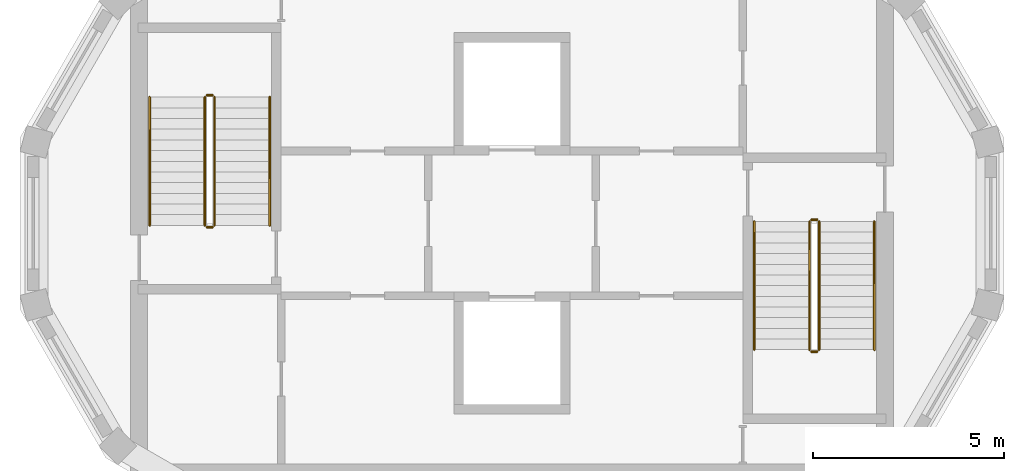
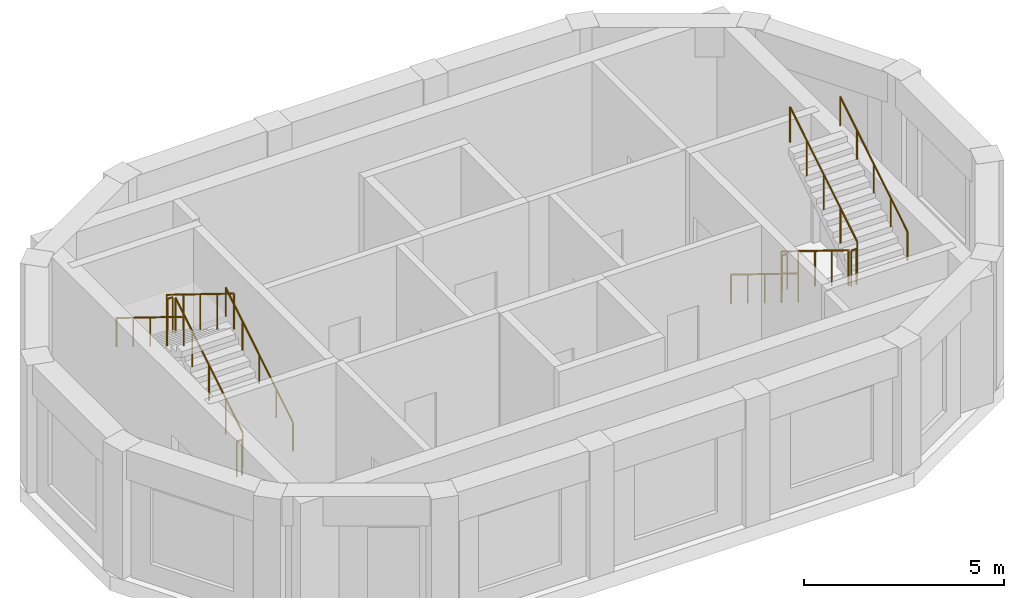
# One storey, part 4 of 4: 12 railings.
"""IFC4 building model written with IfcOpenShell, lengths in metres."""

from ifc_helpers import new_model, si_unit, direction, frame, origin, origin_2d, place, context, subcontext, project, spatial, circle, extrude, material, type_object, element, save


model = new_model("IFC4")

# Units and contexts
model_context = context("Model", 3, precision=1e-05, world=origin(), true_north=direction((0.0, 1.0)))
body_context = subcontext(model_context, "Body", "Model", "MODEL_VIEW")
ifc_project = project(units=[si_unit("LENGTHUNIT", "METRE"), si_unit("AREAUNIT", "SQUARE_METRE"), si_unit("VOLUMEUNIT", "CUBIC_METRE"), si_unit("PLANEANGLEUNIT", "RADIAN"), si_unit("MASSUNIT", "GRAM", prefix="KILO")], contexts=[model_context])

# Site, building, storey
site_placement = place(None, origin())
site = spatial("IfcSite", under=ifc_project, at=site_placement, CompositionType="ELEMENT")
building_placement = place(site_placement, origin())
building = spatial("IfcBuilding", under=site, at=building_placement, Name="Dhurran Vertical Campus", CompositionType="ELEMENT")
storey_placement = place(building_placement, frame((0.0, 0.0, 336.89990234375)))
storey = spatial("IfcBuildingStorey", under=building, at=storey_placement, Name="L82 Plant", CompositionType="ELEMENT", Elevation=336.89990234375)

# Railings
ifc_material_1 = material(Name="Stainless steel balustrade", Category="steel")
railing_type_1 = type_object("IfcRailingType", Name="co-RL-GUARD-1100", PredefinedType="GUARDRAIL", material=ifc_material_1)
railing_1_placement = place(storey_placement, frame((-7.800048828125, -0.050048828125, 0.173095703125)))
element("IfcRailing", 1, at=railing_1_placement, inside=storey, type_object=railing_type_1, Name="L82 Plant ST5 stair guard 1", PredefinedType="GUARDRAIL", context=body_context, shape_type="SweptSolid", body=[
    extrude(circle(Radius=0.02392578125, at=origin_2d()), frame((0.0, 0.0, 1.076171875), z_axis=(0.0, 0.850623216509, 0.525775754039), x_axis=(-1.0, 0.0, 0.0)), (0.0, 0.0, 1.0), 3.9501953125),
    extrude(circle(Radius=0.02099609375, at=origin_2d()), origin(), (0.0, 0.0, 1.0), 1.052001953125),
    extrude(circle(Radius=0.02099609375, at=origin_2d()), frame((0.0, 0.840087890625, 0.519287109375)), (0.0, 0.0, 1.0), 1.052001953125),
    extrude(circle(Radius=0.02099609375, at=origin_2d()), frame((0.0, 1.68017578125, 1.03857421875)), (0.0, 0.0, 1.0), 1.052001953125),
    extrude(circle(Radius=0.02099609375, at=origin_2d()), frame((0.0, 2.52001953125, 1.5576171875)), (0.0, 0.0, 1.0), 1.052001953125),
    extrude(circle(Radius=0.02099609375, at=origin_2d()), frame((0.0, 3.360107421875, 2.076904296875)), (0.0, 0.0, 1.0), 1.052001953125),
])
railing_2_placement = place(storey_placement, frame((-7.85009765625, 3.360107421875, 2.25)))
element("IfcRailing", 2, at=railing_2_placement, inside=storey, type_object=railing_type_1, Name="L82 Plant ST5 stair guard 2", PredefinedType="GUARDRAIL", context=body_context, shape_type="SweptSolid", body=[
    extrude(circle(Radius=0.02392578125, at=origin_2d()), frame((0.0, 0.0, 1.076171875), z_axis=(-1.0, 0.0, 0.0), x_axis=(0.0, -1.0, 0.0)), (0.0, 0.0, 1.0), 0.14990234375),
    extrude(circle(Radius=0.02099609375, at=origin_2d()), origin(), (0.0, 0.0, 1.0), 1.052001953125),
    extrude(circle(Radius=0.02099609375, at=origin_2d()), frame((-0.14990234375, 0.0, 0.0)), (0.0, 0.0, 1.0), 1.052001953125),
])
railing_3_placement = place(storey_placement, frame((-8.050048828125, 3.31005859375, 2.423095703125)))
element("IfcRailing", 3, at=railing_3_placement, inside=storey, type_object=railing_type_1, Name="L82 Plant ST5 stair guard 3", PredefinedType="GUARDRAIL", context=body_context, shape_type="SweptSolid", body=[
    extrude(circle(Radius=0.02392578125, at=origin_2d()), frame((0.0, 0.0, 1.076171875), z_axis=(0.0, -0.850623216509, 0.525775754039), x_axis=(1.0, 0.0, 0.0)), (0.0, 0.0, 1.0), 3.9501953125),
    extrude(circle(Radius=0.02099609375, at=origin_2d()), origin(), (0.0, 0.0, 1.0), 1.052001953125),
    extrude(circle(Radius=0.02099609375, at=origin_2d()), frame((0.0, -0.840087890625, 0.519287109375)), (0.0, 0.0, 1.0), 1.052001953125),
    extrude(circle(Radius=0.02099609375, at=origin_2d()), frame((0.0, -1.68017578125, 1.03857421875)), (0.0, 0.0, 1.0), 1.052001953125),
    extrude(circle(Radius=0.02099609375, at=origin_2d()), frame((0.0, -2.52001953125, 1.5576171875)), (0.0, 0.0, 1.0), 1.052001953125),
    extrude(circle(Radius=0.02099609375, at=origin_2d()), frame((0.0, -3.360107421875, 2.076904296875)), (0.0, 0.0, 1.0), 1.052001953125),
])
railing_4_placement = place(storey_placement, frame((-7.85009765625, -0.10009765625, 0.0)))
element("IfcRailing", 4, at=railing_4_placement, inside=storey, type_object=railing_type_1, Name="L82 Plant ST5 stair guard 4", PredefinedType="GUARDRAIL", context=body_context, shape_type="SweptSolid", body=[
    extrude(circle(Radius=0.02392578125, at=origin_2d()), frame((0.0, 0.0, 1.076171875), z_axis=(-1.0, 0.0, 0.0), x_axis=(0.0, -1.0, 0.0)), (0.0, 0.0, 1.0), 0.14990234375),
    extrude(circle(Radius=0.02099609375, at=origin_2d()), origin(), (0.0, 0.0, 1.0), 1.052001953125),
    extrude(circle(Radius=0.02099609375, at=origin_2d()), frame((-0.14990234375, 0.0, 0.0)), (0.0, 0.0, 1.0), 1.052001953125),
])
railing_5_placement = place(storey_placement, frame((7.800048828125, 0.050048828125, 0.173095703125)))
element("IfcRailing", 5, at=railing_5_placement, inside=storey, type_object=railing_type_1, Name="L82 Plant ST6 stair guard 1", PredefinedType="GUARDRAIL", context=body_context, shape_type="SweptSolid", body=[
    extrude(circle(Radius=0.02392578125, at=origin_2d()), frame((0.0, 0.0, 1.076171875), z_axis=(0.0, -0.850623216509, 0.525775754039), x_axis=(1.0, 0.0, 0.0)), (0.0, 0.0, 1.0), 3.9501953125),
    extrude(circle(Radius=0.02099609375, at=origin_2d()), origin(), (0.0, 0.0, 1.0), 1.052001953125),
    extrude(circle(Radius=0.02099609375, at=origin_2d()), frame((0.0, -0.840087890625, 0.519287109375)), (0.0, 0.0, 1.0), 1.052001953125),
    extrude(circle(Radius=0.02099609375, at=origin_2d()), frame((0.0, -1.68017578125, 1.03857421875)), (0.0, 0.0, 1.0), 1.052001953125),
    extrude(circle(Radius=0.02099609375, at=origin_2d()), frame((0.0, -2.52001953125, 1.5576171875)), (0.0, 0.0, 1.0), 1.052001953125),
    extrude(circle(Radius=0.02099609375, at=origin_2d()), frame((0.0, -3.360107421875, 2.076904296875)), (0.0, 0.0, 1.0), 1.052001953125),
])
railing_6_placement = place(storey_placement, frame((7.85009765625, -3.360107421875, 2.25)))
element("IfcRailing", 6, at=railing_6_placement, inside=storey, type_object=railing_type_1, Name="L82 Plant ST6 stair guard 2", PredefinedType="GUARDRAIL", context=body_context, shape_type="SweptSolid", body=[
    extrude(circle(Radius=0.02392578125, at=origin_2d()), frame((0.0, 0.0, 1.076171875), z_axis=(1.0, 0.0, 0.0), x_axis=(0.0, 1.0, 0.0)), (0.0, 0.0, 1.0), 0.14990234375),
    extrude(circle(Radius=0.02099609375, at=origin_2d()), origin(), (0.0, 0.0, 1.0), 1.052001953125),
    extrude(circle(Radius=0.02099609375, at=origin_2d()), frame((0.14990234375, 0.0, 0.0)), (0.0, 0.0, 1.0), 1.052001953125),
])
railing_7_placement = place(storey_placement, frame((8.050048828125, -3.31005859375, 2.423095703125)))
element("IfcRailing", 7, at=railing_7_placement, inside=storey, type_object=railing_type_1, Name="L82 Plant ST6 stair guard 3", PredefinedType="GUARDRAIL", context=body_context, shape_type="SweptSolid", body=[
    extrude(circle(Radius=0.02392578125, at=origin_2d()), frame((0.0, 0.0, 1.076171875), z_axis=(0.0, 0.850623216509, 0.525775754039), x_axis=(-1.0, 0.0, 0.0)), (0.0, 0.0, 1.0), 3.9501953125),
    extrude(circle(Radius=0.02099609375, at=origin_2d()), origin(), (0.0, 0.0, 1.0), 1.052001953125),
    extrude(circle(Radius=0.02099609375, at=origin_2d()), frame((0.0, 0.840087890625, 0.519287109375)), (0.0, 0.0, 1.0), 1.052001953125),
    extrude(circle(Radius=0.02099609375, at=origin_2d()), frame((0.0, 1.68017578125, 1.03857421875)), (0.0, 0.0, 1.0), 1.052001953125),
    extrude(circle(Radius=0.02099609375, at=origin_2d()), frame((0.0, 2.52001953125, 1.5576171875)), (0.0, 0.0, 1.0), 1.052001953125),
    extrude(circle(Radius=0.02099609375, at=origin_2d()), frame((0.0, 3.360107421875, 2.076904296875)), (0.0, 0.0, 1.0), 1.052001953125),
])
railing_8_placement = place(storey_placement, frame((7.85009765625, 0.10009765625, 0.0)))
element("IfcRailing", 8, at=railing_8_placement, inside=storey, type_object=railing_type_1, Name="L82 Plant ST6 stair guard 4", PredefinedType="GUARDRAIL", context=body_context, shape_type="SweptSolid", body=[
    extrude(circle(Radius=0.02392578125, at=origin_2d()), frame((0.0, 0.0, 1.076171875), z_axis=(1.0, 0.0, 0.0), x_axis=(0.0, 1.0, 0.0)), (0.0, 0.0, 1.0), 0.14990234375),
    extrude(circle(Radius=0.02099609375, at=origin_2d()), origin(), (0.0, 0.0, 1.0), 1.052001953125),
    extrude(circle(Radius=0.02099609375, at=origin_2d()), frame((0.14990234375, 0.0, 0.0)), (0.0, 0.0, 1.0), 1.052001953125),
])
ifc_material_2 = material(Name="Stainless steel handrail", Category="steel")
railing_type_2 = type_object("IfcRailingType", Name="co-RL-HANDRAIL-900", PredefinedType="HANDRAIL", material=ifc_material_2)
railing_9_placement = place(storey_placement, frame((-6.35009765625, -0.050048828125, 0.173095703125)))
element("IfcRailing", 9, at=railing_9_placement, inside=storey, type_object=railing_type_2, Name="L82 Plant ST5 stair handrail 1", PredefinedType="HANDRAIL", context=body_context, shape_type="SweptSolid", body=[
    extrude(circle(Radius=0.02392578125, at=origin_2d()), frame((0.0, 0.0, 0.8759765625), z_axis=(0.0, 0.850623216509, 0.525775754039), x_axis=(-1.0, 0.0, 0.0)), (0.0, 0.0, 1.0), 3.9501953125),
    extrude(circle(Radius=0.02099609375, at=origin_2d()), origin(), (0.0, 0.0, 1.0), 0.851806640625),
    extrude(circle(Radius=0.02099609375, at=origin_2d()), frame((0.0, 0.840087890625, 0.519287109375)), (0.0, 0.0, 1.0), 0.851806640625),
    extrude(circle(Radius=0.02099609375, at=origin_2d()), frame((0.0, 1.68017578125, 1.03857421875)), (0.0, 0.0, 1.0), 0.851806640625),
    extrude(circle(Radius=0.02099609375, at=origin_2d()), frame((0.0, 2.52001953125, 1.5576171875)), (0.0, 0.0, 1.0), 0.851806640625),
    extrude(circle(Radius=0.02099609375, at=origin_2d()), frame((0.0, 3.360107421875, 2.076904296875)), (0.0, 0.0, 1.0), 0.851806640625),
])
for number, where, name in (
    (10, (-9.5, 3.31005859375, 2.423095703125), "L82 Plant ST5 stair handrail 2"),
    (11, (6.35009765625, 0.050048828125, 0.173095703125), "L82 Plant ST6 stair handrail 1"),
):
    element("IfcRailing", number, at=place(storey_placement, frame(where)), inside=storey, type_object=railing_type_2, Name=name, PredefinedType="HANDRAIL", context=body_context, shape_type="SweptSolid", body=[
        extrude(circle(Radius=0.02392578125, at=origin_2d()), frame((0.0, 0.0, 0.8759765625), z_axis=(0.0, -0.850623216509, 0.525775754039), x_axis=(1.0, 0.0, 0.0)), (0.0, 0.0, 1.0), 3.9501953125),
        extrude(circle(Radius=0.02099609375, at=origin_2d()), origin(), (0.0, 0.0, 1.0), 0.851806640625),
        extrude(circle(Radius=0.02099609375, at=origin_2d()), frame((0.0, -0.840087890625, 0.519287109375)), (0.0, 0.0, 1.0), 0.851806640625),
        extrude(circle(Radius=0.02099609375, at=origin_2d()), frame((0.0, -1.68017578125, 1.03857421875)), (0.0, 0.0, 1.0), 0.851806640625),
        extrude(circle(Radius=0.02099609375, at=origin_2d()), frame((0.0, -2.52001953125, 1.5576171875)), (0.0, 0.0, 1.0), 0.851806640625),
        extrude(circle(Radius=0.02099609375, at=origin_2d()), frame((0.0, -3.360107421875, 2.076904296875)), (0.0, 0.0, 1.0), 0.851806640625),
    ])
railing_10_placement = place(storey_placement, frame((9.5, -3.31005859375, 2.423095703125)))
element("IfcRailing", 12, at=railing_10_placement, inside=storey, type_object=railing_type_2, Name="L82 Plant ST6 stair handrail 2", PredefinedType="HANDRAIL", context=body_context, shape_type="SweptSolid", body=[
    extrude(circle(Radius=0.02392578125, at=origin_2d()), frame((0.0, 0.0, 0.8759765625), z_axis=(0.0, 0.850623216509, 0.525775754039), x_axis=(-1.0, 0.0, 0.0)), (0.0, 0.0, 1.0), 3.9501953125),
    extrude(circle(Radius=0.02099609375, at=origin_2d()), origin(), (0.0, 0.0, 1.0), 0.851806640625),
    extrude(circle(Radius=0.02099609375, at=origin_2d()), frame((0.0, 0.840087890625, 0.519287109375)), (0.0, 0.0, 1.0), 0.851806640625),
    extrude(circle(Radius=0.02099609375, at=origin_2d()), frame((0.0, 1.68017578125, 1.03857421875)), (0.0, 0.0, 1.0), 0.851806640625),
    extrude(circle(Radius=0.02099609375, at=origin_2d()), frame((0.0, 2.52001953125, 1.5576171875)), (0.0, 0.0, 1.0), 0.851806640625),
    extrude(circle(Radius=0.02099609375, at=origin_2d()), frame((0.0, 3.360107421875, 2.076904296875)), (0.0, 0.0, 1.0), 0.851806640625),
])

save(model, "model.ifc")
